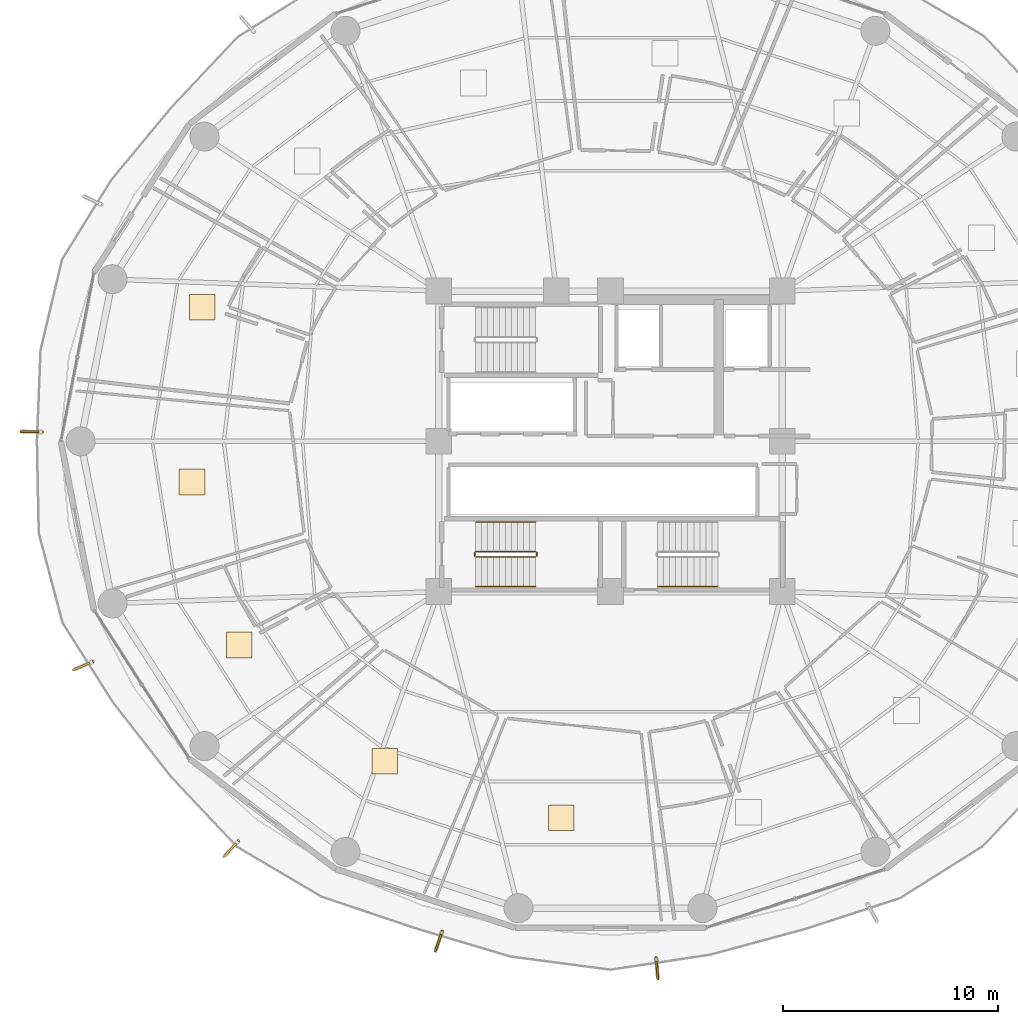
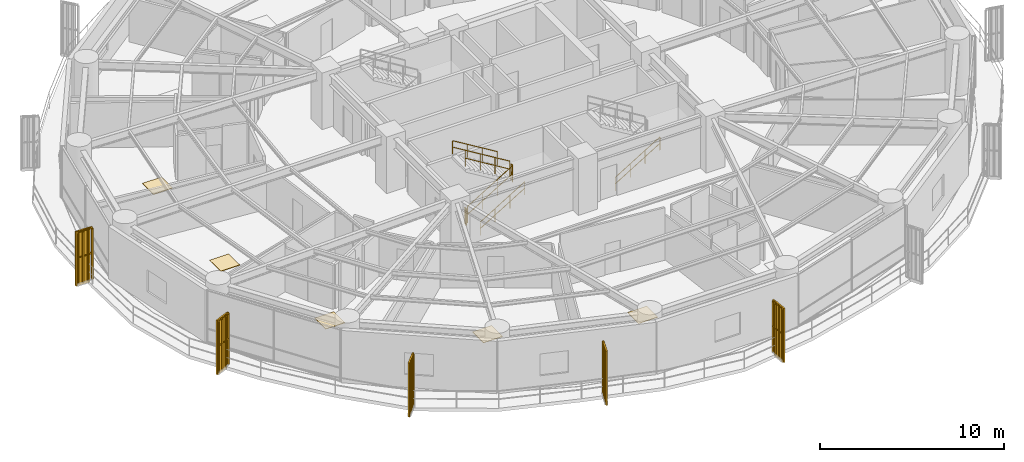
# One storey, part 34 of 37: 12 railings, 5 coverings, 5 shading devices.
"""IFC4 building model written with IfcOpenShell, lengths in metres."""

import ifcopenshell
import ifcopenshell.guid

model = None  # the IFC model being written
_history = None  # IfcOwnerHistory: only IFC2X3 demands one
_inside = {}  # id of a spatial element -> (the spatial element, [elements in it])
_under = {}  # id of a project, library or spatial element -> (it, [spatial elements below it])
_declared = {}  # id of a project -> (the project, [libraries it declares])
_typed = {}  # id of a type object -> (the type object, [elements of that type])
_made_of = {}  # id of a material, layer set ... -> (it, [elements and type objects made of it])


def new_model(schema):
    """Start an empty IFC model of exactly this schema.

    Asked for "IFC4X3", IfcOpenShell would pick the latest addendum, in which some entities
    have other attributes; the version numbers below select the first issue.
    IFC2X3 requires an IfcOwnerHistory on every rooted entity: one is made here for all.
    """
    global model, _history
    if schema == "IFC4X3":
        model = ifcopenshell.file(schema_version=(4, 3, 0, 0))
    else:
        model = ifcopenshell.file(schema=schema)
    _inside.clear()
    _under.clear()
    _declared.clear()
    _typed.clear()
    _made_of.clear()
    _history = None
    if model.schema == "IFC2X3":
        org = make("IfcOrganization", Name="unknown")
        user = make(
            "IfcPersonAndOrganization",
            ThePerson=make("IfcPerson", FamilyName="unknown"),
            TheOrganization=org,
        )
        app = make(
            "IfcApplication",
            ApplicationDeveloper=org,
            Version="unknown",
            ApplicationFullName="unknown",
            ApplicationIdentifier="unknown",
        )
        _history = make(
            "IfcOwnerHistory",
            OwningUser=user,
            OwningApplication=app,
            ChangeAction="ADDED",
            CreationDate=0,
        )
    return model


def make(cls, **values):
    """One entity of the class cls with the attributes given. An attribute that is None is left unset."""
    return model.create_entity(
        cls, **{name: value for name, value in values.items() if value is not None}
    )


def rooted(cls, **values):
    """An entity with a GlobalId (a new one), such as an element, a storey or a relation."""
    return make(cls, GlobalId=ifcopenshell.guid.new(), OwnerHistory=_history, **values)


def si_unit(unit_type, name, prefix=None):
    """IfcSIUnit, for example si_unit("LENGTHUNIT", "METRE", prefix="MILLI")."""
    return make("IfcSIUnit", UnitType=unit_type, Prefix=prefix, Name=name)


def assignment(units):
    """IfcUnitAssignment: the units of a project."""
    return None if units is None else make("IfcUnitAssignment", Units=units)


def point(xyz):
    """IfcCartesianPoint."""
    return None if xyz is None else make("IfcCartesianPoint", Coordinates=xyz)


def direction(xyz):
    """IfcDirection."""
    return None if xyz is None else make("IfcDirection", DirectionRatios=xyz)


def frame(location, z_axis=None, x_axis=None):
    """IfcAxis2Placement3D, a coordinate frame: its origin and axes. An axis left out is left unset."""
    return make(
        "IfcAxis2Placement3D",
        Location=point(location),
        Axis=direction(z_axis),
        RefDirection=direction(x_axis),
    )


def frame_2d(location, x_axis=None):
    """IfcAxis2Placement2D, a coordinate frame in the plane: its origin and x axis."""
    return make(
        "IfcAxis2Placement2D", Location=point(location), RefDirection=direction(x_axis)
    )


def origin():
    """The frame at (0, 0, 0) with its axes left unset."""
    return frame((0.0, 0.0, 0.0))


def origin_2d():
    """The frame at (0, 0) in the plane with its x axis left unset."""
    return frame_2d((0.0, 0.0))


def place(relative_to, where):
    """IfcLocalPlacement: puts the frame where relative to a parent placement (None: the world)."""
    return make(
        "IfcLocalPlacement", PlacementRelTo=relative_to, RelativePlacement=where
    )


def context(
    kind, dimensions, precision=None, world=None, true_north=None, identifier=None
):
    """IfcGeometricRepresentationContext, for example the 3D "Model" context."""
    return make(
        "IfcGeometricRepresentationContext",
        ContextIdentifier=identifier,
        ContextType=kind,
        CoordinateSpaceDimension=dimensions,
        Precision=precision,
        WorldCoordinateSystem=world,
        TrueNorth=true_north,
    )


def subcontext(parent, identifier, kind, view, scale=None):
    """IfcGeometricRepresentationSubContext, for example "Body" below "Model"."""
    return make(
        "IfcGeometricRepresentationSubContext",
        ContextIdentifier=identifier,
        ContextType=kind,
        ParentContext=parent,
        TargetScale=scale,
        TargetView=view,
    )


def project(units=None, contexts=None):
    """IfcProject with its units and contexts."""
    return rooted(
        "IfcProject",
        Name="project",
        RepresentationContexts=contexts,
        UnitsInContext=assignment(units),
    )


def spatial(cls, under=None, at=None, **own):
    """A site, building, storey or space (cls), placed at a placement, below another one or the project."""
    s = rooted(cls, ObjectPlacement=at, **own)
    if under is not None:
        _under.setdefault(under.id(), (under, []))[1].append(s)
    return s


def polyline(points):
    """IfcPolyline through the points."""
    return make("IfcPolyline", Points=[point(p) for p in points])


def profile(cls, at=None, kind="AREA", **sizes):
    """A parametric profile (cls). Its sizes go by their IFC names, for example OverallWidth=200.0."""
    return make(cls, ProfileType=kind, Position=at, **sizes)


def rectangle(**sizes):
    """IfcRectangleProfileDef."""
    return profile("IfcRectangleProfileDef", **sizes)


def outline(outer, holes=None, kind="AREA"):
    """IfcArbitraryClosedProfileDef: a profile drawn as a closed curve; with holes, ...WithVoids."""
    if holes is None:
        return make("IfcArbitraryClosedProfileDef", ProfileType=kind, OuterCurve=outer)
    return make(
        "IfcArbitraryProfileDefWithVoids",
        ProfileType=kind,
        OuterCurve=outer,
        InnerCurves=holes,
    )


def extrude(swept, where, along, depth):
    """IfcExtrudedAreaSolid: the profile swept, set in the frame where, extruded along a direction by depth."""
    return make(
        "IfcExtrudedAreaSolid",
        SweptArea=swept,
        Position=where,
        ExtrudedDirection=direction(along),
        Depth=depth,
    )


def shape(context_of_items, identifier, shape_type, items):
    """IfcShapeRepresentation: the items that make up one representation, for example the "Body"."""
    return make(
        "IfcShapeRepresentation",
        ContextOfItems=context_of_items,
        RepresentationIdentifier=identifier,
        RepresentationType=shape_type,
        Items=items,
    )


def source(mapping_origin, context_of_items, identifier, shape_type, items):
    """IfcRepresentationMap: a shape defined once, which mapped items show again and again."""
    return make(
        "IfcRepresentationMap",
        MappingOrigin=mapping_origin,
        MappedRepresentation=shape(context_of_items, identifier, shape_type, items),
    )


def transform(
    local_origin,
    x_axis=None,
    y_axis=None,
    z_axis=None,
    scale=None,
    scale2=None,
    scale3=None,
    uniform=True,
):
    """IfcCartesianTransformationOperator3D, or its non-uniform kind. x_axis, y_axis, z_axis: its Axis1, 2, 3."""
    if uniform:
        return make(
            "IfcCartesianTransformationOperator3D",
            Axis1=direction(x_axis),
            Axis2=direction(y_axis),
            LocalOrigin=point(local_origin),
            Scale=scale,
            Axis3=direction(z_axis),
        )
    return make(
        "IfcCartesianTransformationOperator3DnonUniform",
        Axis1=direction(x_axis),
        Axis2=direction(y_axis),
        LocalOrigin=point(local_origin),
        Scale=scale,
        Axis3=direction(z_axis),
        Scale2=scale2,
        Scale3=scale3,
    )


def mapped(mapping_source, mapping_target):
    """IfcMappedItem: shows the shape of a source again, moved by a transform."""
    return make(
        "IfcMappedItem", MappingSource=mapping_source, MappingTarget=mapping_target
    )


def material(Name=None, Category=None):
    """IfcMaterial."""
    return make("IfcMaterial", Name=Name, Category=Category)


def layer(
    of_material, thickness, ventilated=None, Name=None, Category=None, Priority=None
):
    """IfcMaterialLayer: one layer of a wall or slab, of a material (None: an air gap)."""
    return make(
        "IfcMaterialLayer",
        Material=of_material,
        LayerThickness=thickness,
        IsVentilated=ventilated,
        Name=Name,
        Category=Category,
        Priority=Priority,
    )


def layer_set(layers, Name=None):
    """IfcMaterialLayerSet."""
    return make("IfcMaterialLayerSet", MaterialLayers=layers, LayerSetName=Name)


def made_of(thing, what):
    """Note that an element or type object is made of a material, layer set ...; save() writes the relation."""
    if what is not None:
        _made_of.setdefault(what.id(), (what, []))[1].append(thing)
    return thing


def type_object(cls, material=None, **own):
    """A type object (cls), such as IfcWallType, which elements share."""
    return made_of(rooted(cls, **own), material)


def element(
    cls,
    number,
    at=None,
    inside=None,
    cuts=None,
    type_object=None,
    material=None,
    context=None,
    identifier="Body",
    shape_type=None,
    held_by="IfcProductDefinitionShape",
    body=None,
    shapes=None,
    **own,
):
    """One element of the class cls, such as IfcWall. Its Tag is "e" and its number.

    at: its placement. inside: the storey or other place that contains it. cuts: it is an
    opening in that element (IfcRelVoidsElement). A single representation is given by context,
    identifier, shape_type and body (its items); several are given by shapes. held_by: the class
    of the entity that holds the representations. save() writes the other relations.
    """
    e = rooted(cls, Tag="e%d" % number, ObjectPlacement=at, **own)
    if body is not None:
        shapes = [shape(context, identifier, shape_type, body)]
    if shapes is not None:
        e.Representation = make(held_by, Representations=shapes)
    if inside is not None:
        _inside.setdefault(inside.id(), (inside, []))[1].append(e)
    if cuts is not None:
        rooted(
            "IfcRelVoidsElement", RelatingBuildingElement=cuts, RelatedOpeningElement=e
        )
    if type_object is not None:
        _typed.setdefault(type_object.id(), (type_object, []))[1].append(e)
    return made_of(e, material)


def aggregate(whole, parts):
    """IfcRelAggregates: a whole, such as a stair, and the parts it consists of."""
    return rooted("IfcRelAggregates", RelatingObject=whole, RelatedObjects=parts)


def save(model, path):
    """Write the relations noted so far, then the file.

    IfcRelAggregates (storeys below a building ...), IfcRelContainedInSpatialStructure (elements
    in a storey), IfcRelDefinesByType, IfcRelAssociatesMaterial and IfcRelDeclares: one each for
    every whole, place, type object, material and project.
    """
    for whole, parts in _under.values():
        aggregate(whole, parts)
    for where, things in _inside.values():
        rooted(
            "IfcRelContainedInSpatialStructure",
            RelatedElements=things,
            RelatingStructure=where,
        )
    for kind, things in _typed.values():
        rooted("IfcRelDefinesByType", RelatedObjects=things, RelatingType=kind)
    for what, things in _made_of.values():
        rooted("IfcRelAssociatesMaterial", RelatedObjects=things, RelatingMaterial=what)
    for by, libraries in _declared.values():
        rooted("IfcRelDeclares", RelatingContext=by, RelatedDefinitions=libraries)
    model.write(path)


model = new_model("IFC4")

# Units and contexts
model_context = context("Model", 3, precision=1e-05, world=origin(), true_north=direction((0.0, 1.0)))
body_context = subcontext(model_context, "Body", "Model", "MODEL_VIEW")
ifc_project = project(units=[si_unit("LENGTHUNIT", "METRE"), si_unit("AREAUNIT", "SQUARE_METRE"), si_unit("VOLUMEUNIT", "CUBIC_METRE"), si_unit("PLANEANGLEUNIT", "RADIAN"), si_unit("MASSUNIT", "GRAM", prefix="KILO")], contexts=[model_context])

# Site, building, storey
site_placement = place(None, origin())
site = spatial("IfcSite", under=ifc_project, at=site_placement, CompositionType="ELEMENT")
building_placement = place(site_placement, origin())
building = spatial("IfcBuilding", under=site, at=building_placement, Name="Kelanora Arch Commons", CompositionType="ELEMENT")
storey_placement = place(building_placement, frame((0.0, 0.0, 113.85009765625)))
storey = spatial("IfcBuildingStorey", under=building, at=storey_placement, Name="L29", CompositionType="ELEMENT", Elevation=113.85009765625)

# Railings
ifc_material_1 = material(Name="Anodised bronze vertical shading fin rib assembly")
railing_type_1 = type_object("IfcRailingType", Name="RAIL-FIN-BRZ", PredefinedType="BALUSTRADE", material=ifc_material_1)
railing_1_placement = place(storey_placement, frame((47.5244140625, 58.43798828125, -0.02001953125)))
element("IfcRailing", 1, at=railing_1_placement, inside=storey, type_object=railing_type_1, Name="Sweeping Bronze Vertical Fin Blade L29-06", PredefinedType="BALUSTRADE", context=body_context, shape_type="SweptSolid", body=[
    extrude(outline(polyline([(0.06982421875, 0.0), (0.034912109375, 0.060546875), (-0.034912109375, 0.060546875), (-0.06982421875, 0.0), (-0.034912109375, -0.060546875), (0.034912109375, -0.060546875), (0.06982421875, 0.0)])), frame((0.0, 0.0, 3.419921875), z_axis=(-0.999860454738, 0.016705419813, 0.0), x_axis=(-0.016705419813, -0.999860454738, 0.0)), (0.0, 0.0, 1.0), 0.8916015625),
    extrude(outline(polyline([(0.06982421875, 0.0), (0.034912109375, 0.060546875), (-0.034912109375, 0.060546875), (-0.06982421875, 0.0), (-0.034912109375, -0.060546875), (0.034912109375, -0.060546875), (0.06982421875, 0.0)])), frame((0.0, 0.0, 1.7451171875), z_axis=(-0.999860454738, 0.016705419813, 0.0), x_axis=(-0.016705419813, -0.999860454738, 0.0)), (0.0, 0.0, 1.0), 0.8916015625),
    extrude(outline(polyline([(0.080078125, 0.0), (0.0400390625, 0.0693359375), (-0.0400390625, 0.0693359375), (-0.080078125, 0.0), (-0.0400390625, -0.0693359375), (0.0400390625, -0.0693359375), (0.080078125, 0.0)])), origin(), (0.0, 0.0, 1.0), 3.35009765625),
    extrude(outline(polyline([(0.080078125, 0.0), (0.0400390625, 0.0693359375), (-0.0400390625, 0.0693359375), (-0.080078125, 0.0), (-0.0400390625, -0.0693359375), (0.0400390625, -0.0693359375), (0.080078125, 0.0)])), frame((-0.297119140625, 0.0048828125, 0.0)), (0.0, 0.0, 1.0), 3.35009765625),
    extrude(outline(polyline([(0.080078125, 0.0), (0.0400390625, 0.0693359375), (-0.0400390625, 0.0693359375), (-0.080078125, 0.0), (-0.0400390625, -0.0693359375), (0.0400390625, -0.0693359375), (0.080078125, 0.0)])), frame((-0.59423828125, 0.010009765625, 0.0)), (0.0, 0.0, 1.0), 3.35009765625),
    extrude(outline(polyline([(0.080078125, 0.0), (0.0400390625, 0.0693359375), (-0.0400390625, 0.0693359375), (-0.080078125, 0.0), (-0.0400390625, -0.0693359375), (0.0400390625, -0.0693359375), (0.080078125, 0.0)])), frame((-0.891357421875, 0.014892578125, 0.0)), (0.0, 0.0, 1.0), 3.35009765625),
])
railing_2_placement = place(storey_placement, frame((49.883544921875, 47.7373046875, -0.02001953125)))
element("IfcRailing", 2, at=railing_2_placement, inside=storey, type_object=railing_type_1, Name="Sweeping Bronze Vertical Fin Blade L29-07", PredefinedType="BALUSTRADE", context=body_context, shape_type="SweptSolid", body=[
    extrude(outline(polyline([(0.06982421875, 0.0), (0.034912109375, 0.060546875), (-0.034912109375, 0.060546875), (-0.06982421875, 0.0), (-0.034912109375, -0.060546875), (0.034912109375, -0.060546875), (0.06982421875, 0.0)])), frame((0.0, 0.0, 3.419921875), z_axis=(-0.920133641642, -0.391604496294, 0.0), x_axis=(0.391604496294, -0.920133641642, 0.0)), (0.0, 0.0, 1.0), 0.8916015625),
    extrude(outline(polyline([(0.06982421875, 0.0), (0.034912109375, 0.060546875), (-0.034912109375, 0.060546875), (-0.06982421875, 0.0), (-0.034912109375, -0.060546875), (0.034912109375, -0.060546875), (0.06982421875, 0.0)])), frame((0.0, 0.0, 1.7451171875), z_axis=(-0.920133641642, -0.391604496294, 0.0), x_axis=(0.391604496294, -0.920133641642, 0.0)), (0.0, 0.0, 1.0), 0.8916015625),
    extrude(outline(polyline([(0.080078125, 0.0), (0.0400390625, 0.0693359375), (-0.0400390625, 0.0693359375), (-0.080078125, 0.0), (-0.0400390625, -0.0693359375), (0.0400390625, -0.0693359375), (0.080078125, 0.0)])), origin(), (0.0, 0.0, 1.0), 3.35009765625),
    extrude(outline(polyline([(0.080078125, 0.0), (0.0400390625, 0.0693359375), (-0.0400390625, 0.0693359375), (-0.080078125, 0.0), (-0.0400390625, -0.0693359375), (0.0400390625, -0.0693359375), (0.080078125, 0.0)])), frame((-0.2734375, -0.116455078125, 0.0)), (0.0, 0.0, 1.0), 3.35009765625),
    extrude(outline(polyline([(0.080078125, 0.0), (0.0400390625, 0.0693359375), (-0.0400390625, 0.0693359375), (-0.080078125, 0.0), (-0.0400390625, -0.0693359375), (0.0400390625, -0.0693359375), (0.080078125, 0.0)])), frame((-0.546875, -0.232666015625, 0.0)), (0.0, 0.0, 1.0), 3.35009765625),
    extrude(outline(polyline([(0.080078125, 0.0), (0.0400390625, 0.0693359375), (-0.0400390625, 0.0693359375), (-0.080078125, 0.0), (-0.0400390625, -0.0693359375), (0.0400390625, -0.0693359375), (0.080078125, 0.0)])), frame((-0.8203125, -0.34912109375, 0.0)), (0.0, 0.0, 1.0), 3.35009765625),
])
railing_3_placement = place(storey_placement, frame((56.662353515625, 39.373779296875, -0.02001953125)))
element("IfcRailing", 3, at=railing_3_placement, inside=storey, type_object=railing_type_1, Name="Sweeping Bronze Vertical Fin Blade L29-08", PredefinedType="BALUSTRADE", context=body_context, shape_type="SweptSolid", body=[
    extrude(outline(polyline([(0.06982421875, 0.0), (0.034912109375, 0.060546875), (-0.034912109375, 0.060546875), (-0.06982421875, 0.0), (-0.034912109375, -0.060546875), (0.034912109375, -0.060546875), (0.06982421875, 0.0)])), frame((0.0, 0.0, 3.419921875), z_axis=(-0.681322415215, -0.731983446893, 0.0), x_axis=(0.731983446893, -0.681322415215, 0.0)), (0.0, 0.0, 1.0), 0.8916015625),
    extrude(outline(polyline([(0.06982421875, 0.0), (0.034912109375, 0.060546875), (-0.034912109375, 0.060546875), (-0.06982421875, 0.0), (-0.034912109375, -0.060546875), (0.034912109375, -0.060546875), (0.06982421875, 0.0)])), frame((0.0, 0.0, 1.7451171875), z_axis=(-0.681322415215, -0.731983446893, 0.0), x_axis=(0.731983446893, -0.681322415215, 0.0)), (0.0, 0.0, 1.0), 0.8916015625),
    extrude(outline(polyline([(0.080078125, 0.0), (0.0400390625, 0.0693359375), (-0.0400390625, 0.0693359375), (-0.080078125, 0.0), (-0.0400390625, -0.0693359375), (0.0400390625, -0.0693359375), (0.080078125, 0.0)])), origin(), (0.0, 0.0, 1.0), 3.35009765625),
    extrude(outline(polyline([(0.080078125, 0.0), (0.0400390625, 0.0693359375), (-0.0400390625, 0.0693359375), (-0.080078125, 0.0), (-0.0400390625, -0.0693359375), (0.0400390625, -0.0693359375), (0.080078125, 0.0)])), frame((-0.202392578125, -0.217529296875, 0.0)), (0.0, 0.0, 1.0), 3.35009765625),
    extrude(outline(polyline([(0.080078125, 0.0), (0.0400390625, 0.0693359375), (-0.0400390625, 0.0693359375), (-0.080078125, 0.0), (-0.0400390625, -0.0693359375), (0.0400390625, -0.0693359375), (0.080078125, 0.0)])), frame((-0.405029296875, -0.43505859375, 0.0)), (0.0, 0.0, 1.0), 3.35009765625),
    extrude(outline(polyline([(0.080078125, 0.0), (0.0400390625, 0.0693359375), (-0.0400390625, 0.0693359375), (-0.080078125, 0.0), (-0.0400390625, -0.0693359375), (0.0400390625, -0.0693359375), (0.080078125, 0.0)])), frame((-0.607421875, -0.652587890625, 0.0)), (0.0, 0.0, 1.0), 3.35009765625),
])
railing_4_placement = place(storey_placement, frame((66.166015625, 35.181396484375, -0.02001953125)))
element("IfcRailing", 4, at=railing_4_placement, inside=storey, type_object=railing_type_1, Name="Sweeping Bronze Vertical Fin Blade L29-09", PredefinedType="BALUSTRADE", context=body_context, shape_type="SweptSolid", body=[
    extrude(outline(polyline([(0.06982421875, 0.0), (0.034912109375, 0.060546875), (-0.034912109375, 0.060546875), (-0.06982421875, 0.0), (-0.034912109375, -0.060546875), (0.034912109375, -0.060546875), (0.06982421875, 0.0)])), frame((0.0, 0.0, 3.419921875), z_axis=(-0.324513353005, -0.945881115004, 0.0), x_axis=(0.945881115004, -0.324513353005, 0.0)), (0.0, 0.0, 1.0), 0.8916015625),
    extrude(outline(polyline([(0.06982421875, 0.0), (0.034912109375, 0.060546875), (-0.034912109375, 0.060546875), (-0.06982421875, 0.0), (-0.034912109375, -0.060546875), (0.034912109375, -0.060546875), (0.06982421875, 0.0)])), frame((0.0, 0.0, 1.7451171875), z_axis=(-0.324513353005, -0.945881115004, 0.0), x_axis=(0.945881115004, -0.324513353005, 0.0)), (0.0, 0.0, 1.0), 0.8916015625),
    extrude(outline(polyline([(0.080078125, 0.0), (0.0400390625, 0.0693359375), (-0.0400390625, 0.0693359375), (-0.080078125, 0.0), (-0.0400390625, -0.0693359375), (0.0400390625, -0.0693359375), (0.080078125, 0.0)])), origin(), (0.0, 0.0, 1.0), 3.35009765625),
    extrude(outline(polyline([(0.080078125, 0.0), (0.0400390625, 0.0693359375), (-0.0400390625, 0.0693359375), (-0.080078125, 0.0), (-0.0400390625, -0.0693359375), (0.0400390625, -0.0693359375), (0.080078125, 0.0)])), frame((-0.096435546875, -0.281005859375, 0.0)), (0.0, 0.0, 1.0), 3.35009765625),
    extrude(outline(polyline([(0.080078125, 0.0), (0.0400390625, 0.0693359375), (-0.0400390625, 0.0693359375), (-0.080078125, 0.0), (-0.0400390625, -0.0693359375), (0.0400390625, -0.0693359375), (0.080078125, 0.0)])), frame((-0.19287109375, -0.562255859375, 0.0)), (0.0, 0.0, 1.0), 3.35009765625),
    extrude(outline(polyline([(0.080078125, 0.0), (0.0400390625, 0.0693359375), (-0.0400390625, 0.0693359375), (-0.080078125, 0.0), (-0.0400390625, -0.0693359375), (0.0400390625, -0.0693359375), (0.080078125, 0.0)])), frame((-0.289306640625, -0.84326171875, 0.0)), (0.0, 0.0, 1.0), 3.35009765625),
])
railing_5_placement = place(storey_placement, frame((76.127197265625, 33.93603515625, -0.02001953125)))
element("IfcRailing", 5, at=railing_5_placement, inside=storey, type_object=railing_type_1, Name="Sweeping Bronze Vertical Fin Blade L29-10", PredefinedType="BALUSTRADE", context=body_context, shape_type="SweptSolid", body=[
    extrude(outline(polyline([(0.06982421875, 0.0), (0.034912109375, 0.060546875), (-0.034912109375, 0.060546875), (-0.06982421875, 0.0), (-0.034912109375, -0.060546875), (0.034912109375, -0.060546875), (0.06982421875, 0.0)])), frame((0.0, 0.0, 3.419921875), z_axis=(0.088189550443, -0.996103711063, 0.0), x_axis=(0.996103711063, 0.088189550443, 0.0)), (0.0, 0.0, 1.0), 0.891357421875),
    extrude(outline(polyline([(0.06982421875, 0.0), (0.034912109375, 0.060546875), (-0.034912109375, 0.060546875), (-0.06982421875, 0.0), (-0.034912109375, -0.060546875), (0.034912109375, -0.060546875), (0.06982421875, 0.0)])), frame((0.0, 0.0, 1.7451171875), z_axis=(0.088189550443, -0.996103711063, 0.0), x_axis=(0.996103711063, 0.088189550443, 0.0)), (0.0, 0.0, 1.0), 0.891357421875),
    extrude(outline(polyline([(0.080078125, 0.0), (0.0400390625, 0.0693359375), (-0.0400390625, 0.0693359375), (-0.080078125, 0.0), (-0.0400390625, -0.0693359375), (0.0400390625, -0.0693359375), (0.080078125, 0.0)])), origin(), (0.0, 0.0, 1.0), 3.35009765625),
    extrude(outline(polyline([(0.080078125, 0.0), (0.0400390625, 0.0693359375), (-0.0400390625, 0.0693359375), (-0.080078125, 0.0), (-0.0400390625, -0.0693359375), (0.0400390625, -0.0693359375), (0.080078125, 0.0)])), frame((0.026123046875, -0.2958984375, 0.0)), (0.0, 0.0, 1.0), 3.35009765625),
    extrude(outline(polyline([(0.080078125, 0.0), (0.0400390625, 0.0693359375), (-0.0400390625, 0.0693359375), (-0.080078125, 0.0), (-0.0400390625, -0.0693359375), (0.0400390625, -0.0693359375), (0.080078125, 0.0)])), frame((0.052490234375, -0.592041015625, 0.0)), (0.0, 0.0, 1.0), 3.35009765625),
    extrude(outline(polyline([(0.080078125, 0.0), (0.0400390625, 0.0693359375), (-0.0400390625, 0.0693359375), (-0.080078125, 0.0), (-0.0400390625, -0.0693359375), (0.0400390625, -0.0693359375), (0.080078125, 0.0)])), frame((0.07861328125, -0.887939453125, 0.0)), (0.0, 0.0, 1.0), 3.35009765625),
])
ifc_material_2 = material(Name="Painted steel stair well guard", Category="steel")
railing_type_2 = type_object("IfcRailingType", Name="RAIL-STAIR-GRD", PredefinedType="GUARDRAIL", material=ifc_material_2)
railing_6_placement = place(storey_placement, frame((67.719970703125, 52.610107421875, 0.17041015625)))
element("IfcRailing", 6, at=railing_6_placement, inside=storey, type_object=railing_type_2, Name="L29 ST-T3 stair guard 1", PredefinedType="GUARDRAIL", context=body_context, shape_type="SweptSolid", body=[
    extrude(outline(polyline([(0.02392578125, 0.0), (0.011962890625, 0.020751953125), (-0.011962890625, 0.020751953125), (-0.02392578125, 0.0), (-0.011962890625, -0.020751953125), (0.011962890625, -0.020751953125), (0.02392578125, 0.0)])), frame((0.0, 0.0, 1.076171875), z_axis=(0.854169791009, 0.0, 0.51999420009), x_axis=(0.0, 1.0, 0.0)), (0.0, 0.0, 1.0), 3.278076171875),
    extrude(outline(polyline([(0.02392578125, 0.0), (0.011962890625, 0.020751953125), (-0.011962890625, 0.020751953125), (-0.02392578125, 0.0), (-0.011962890625, -0.020751953125), (0.011962890625, -0.020751953125), (0.02392578125, 0.0)])), frame((0.0, 0.0, 0.550048828125), z_axis=(0.854169791009, 0.0, 0.51999420009), x_axis=(0.0, 1.0, 0.0)), (0.0, 0.0, 1.0), 3.278076171875),
    extrude(outline(polyline([(0.02099609375, 0.0), (0.010498046875, 0.01806640625), (-0.010498046875, 0.01806640625), (-0.02099609375, 0.0), (-0.010498046875, -0.01806640625), (0.010498046875, -0.01806640625), (0.02099609375, 0.0)])), origin(), (0.0, 0.0, 1.0), 1.052001953125),
    extrude(outline(polyline([(0.02099609375, 0.0), (0.010498046875, 0.01806640625), (-0.010498046875, 0.01806640625), (-0.02099609375, 0.0), (-0.010498046875, -0.01806640625), (0.010498046875, -0.01806640625), (0.02099609375, 0.0)])), frame((0.933349609375, 0.0, 0.568115234375)), (0.0, 0.0, 1.0), 1.052001953125),
    extrude(outline(polyline([(0.02099609375, 0.0), (0.010498046875, 0.01806640625), (-0.010498046875, 0.01806640625), (-0.02099609375, 0.0), (-0.010498046875, -0.01806640625), (0.010498046875, -0.01806640625), (0.02099609375, 0.0)])), frame((1.86669921875, 0.0, 1.136474609375)), (0.0, 0.0, 1.0), 1.052001953125),
    extrude(outline(polyline([(0.02099609375, 0.0), (0.010498046875, 0.01806640625), (-0.010498046875, 0.01806640625), (-0.02099609375, 0.0), (-0.010498046875, -0.01806640625), (0.010498046875, -0.01806640625), (0.02099609375, 0.0)])), frame((2.800048828125, 0.0, 1.70458984375)), (0.0, 0.0, 1.0), 1.052001953125),
])
railing_7_placement = place(storey_placement, frame((70.570068359375, 52.659912109375, 1.875)))
element("IfcRailing", 7, at=railing_7_placement, inside=storey, type_object=railing_type_2, Name="L29 ST-T3 stair guard 2", PredefinedType="GUARDRAIL", context=body_context, shape_type="SweptSolid", body=[
    extrude(outline(polyline([(0.02392578125, 0.0), (0.011962890625, 0.020751953125), (-0.011962890625, 0.020751953125), (-0.02392578125, 0.0), (-0.011962890625, -0.020751953125), (0.011962890625, -0.020751953125), (0.02392578125, 0.0)])), frame((0.0, 0.0, 1.076171875), z_axis=(0.0, 1.0, 0.0), x_axis=(-1.0, 0.0, 0.0)), (0.0, 0.0, 1.0), 0.150146484375),
    extrude(outline(polyline([(0.02392578125, 0.0), (0.011962890625, 0.020751953125), (-0.011962890625, 0.020751953125), (-0.02392578125, 0.0), (-0.011962890625, -0.020751953125), (0.011962890625, -0.020751953125), (0.02392578125, 0.0)])), frame((0.0, 0.0, 0.550048828125), z_axis=(0.0, 1.0, 0.0), x_axis=(-1.0, 0.0, 0.0)), (0.0, 0.0, 1.0), 0.150146484375),
    extrude(outline(polyline([(0.02099609375, 0.0), (0.010498046875, 0.01806640625), (-0.010498046875, 0.01806640625), (-0.02099609375, 0.0), (-0.010498046875, -0.01806640625), (0.010498046875, -0.01806640625), (0.02099609375, 0.0)])), origin(), (0.0, 0.0, 1.0), 1.052001953125),
    extrude(outline(polyline([(0.02099609375, 0.0), (0.010498046875, 0.01806640625), (-0.010498046875, 0.01806640625), (-0.02099609375, 0.0), (-0.010498046875, -0.01806640625), (0.010498046875, -0.01806640625), (0.02099609375, 0.0)])), frame((0.0, 0.150146484375, 0.0)), (0.0, 0.0, 1.0), 1.052001953125),
])
railing_8_placement = place(storey_placement, frame((70.52001953125, 52.860107421875, 2.04541015625)))
element("IfcRailing", 8, at=railing_8_placement, inside=storey, type_object=railing_type_2, Name="L29 ST-T3 stair guard 3", PredefinedType="GUARDRAIL", context=body_context, shape_type="SweptSolid", body=[
    extrude(outline(polyline([(0.02392578125, 0.0), (0.011962890625, 0.020751953125), (-0.011962890625, 0.020751953125), (-0.02392578125, 0.0), (-0.011962890625, -0.020751953125), (0.011962890625, -0.020751953125), (0.02392578125, 0.0)])), frame((0.0, 0.0, 1.076171875), z_axis=(-0.854169791009, 0.0, 0.51999420009), x_axis=(0.0, -1.0, 0.0)), (0.0, 0.0, 1.0), 3.278076171875),
    extrude(outline(polyline([(0.02392578125, 0.0), (0.011962890625, 0.020751953125), (-0.011962890625, 0.020751953125), (-0.02392578125, 0.0), (-0.011962890625, -0.020751953125), (0.011962890625, -0.020751953125), (0.02392578125, 0.0)])), frame((0.0, 0.0, 0.550048828125), z_axis=(-0.854169791009, 0.0, 0.51999420009), x_axis=(0.0, -1.0, 0.0)), (0.0, 0.0, 1.0), 3.278076171875),
    extrude(outline(polyline([(0.02099609375, 0.0), (0.010498046875, 0.01806640625), (-0.010498046875, 0.01806640625), (-0.02099609375, 0.0), (-0.010498046875, -0.01806640625), (0.010498046875, -0.01806640625), (0.02099609375, 0.0)])), origin(), (0.0, 0.0, 1.0), 1.052001953125),
    extrude(outline(polyline([(0.02099609375, 0.0), (0.010498046875, 0.01806640625), (-0.010498046875, 0.01806640625), (-0.02099609375, 0.0), (-0.010498046875, -0.01806640625), (0.010498046875, -0.01806640625), (0.02099609375, 0.0)])), frame((-0.933349609375, 0.0, 0.568115234375)), (0.0, 0.0, 1.0), 1.052001953125),
    extrude(outline(polyline([(0.02099609375, 0.0), (0.010498046875, 0.01806640625), (-0.010498046875, 0.01806640625), (-0.02099609375, 0.0), (-0.010498046875, -0.01806640625), (0.010498046875, -0.01806640625), (0.02099609375, 0.0)])), frame((-1.86669921875, 0.0, 1.136474609375)), (0.0, 0.0, 1.0), 1.052001953125),
    extrude(outline(polyline([(0.02099609375, 0.0), (0.010498046875, 0.01806640625), (-0.010498046875, 0.01806640625), (-0.02099609375, 0.0), (-0.010498046875, -0.01806640625), (0.010498046875, -0.01806640625), (0.02099609375, 0.0)])), frame((-2.800048828125, 0.0, 1.70458984375)), (0.0, 0.0, 1.0), 1.052001953125),
])
railing_9_placement = place(storey_placement, frame((67.669921875, 52.659912109375, 0.0)))
element("IfcRailing", 9, at=railing_9_placement, inside=storey, type_object=railing_type_2, Name="L29 ST-T3 stair guard 4", PredefinedType="GUARDRAIL", context=body_context, shape_type="SweptSolid", body=[
    extrude(outline(polyline([(0.02392578125, 0.0), (0.011962890625, 0.020751953125), (-0.011962890625, 0.020751953125), (-0.02392578125, 0.0), (-0.011962890625, -0.020751953125), (0.011962890625, -0.020751953125), (0.02392578125, 0.0)])), frame((0.0, 0.0, 1.076171875), z_axis=(0.0, 1.0, 0.0), x_axis=(-1.0, 0.0, 0.0)), (0.0, 0.0, 1.0), 0.150146484375),
    extrude(outline(polyline([(0.02392578125, 0.0), (0.011962890625, 0.020751953125), (-0.011962890625, 0.020751953125), (-0.02392578125, 0.0), (-0.011962890625, -0.020751953125), (0.011962890625, -0.020751953125), (0.02392578125, 0.0)])), frame((0.0, 0.0, 0.550048828125), z_axis=(0.0, 1.0, 0.0), x_axis=(-1.0, 0.0, 0.0)), (0.0, 0.0, 1.0), 0.150146484375),
    extrude(outline(polyline([(0.02099609375, 0.0), (0.010498046875, 0.01806640625), (-0.010498046875, 0.01806640625), (-0.02099609375, 0.0), (-0.010498046875, -0.01806640625), (0.010498046875, -0.01806640625), (0.02099609375, 0.0)])), origin(), (0.0, 0.0, 1.0), 1.052001953125),
    extrude(outline(polyline([(0.02099609375, 0.0), (0.010498046875, 0.01806640625), (-0.010498046875, 0.01806640625), (-0.02099609375, 0.0), (-0.010498046875, -0.01806640625), (0.010498046875, -0.01806640625), (0.02099609375, 0.0)])), frame((0.0, 0.150146484375, 0.0)), (0.0, 0.0, 1.0), 1.052001953125),
])
ifc_material_3 = material(Name="Brushed stainless steel stair handrail", Category="steel")
railing_type_3 = type_object("IfcRailingType", Name="RAIL-STAIR-HND", PredefinedType="HANDRAIL", material=ifc_material_3)
railing_10_placement = place(storey_placement, frame((76.199951171875, 51.22998046875, 0.17041015625)))
element("IfcRailing", 10, at=railing_10_placement, inside=storey, type_object=railing_type_3, Name="L29 ST-T2 stair handrail 1", PredefinedType="HANDRAIL", context=body_context, shape_type="SweptSolid", body=[
    extrude(outline(polyline([(0.02392578125, 0.0), (0.011962890625, 0.020751953125), (-0.011962890625, 0.020751953125), (-0.02392578125, 0.0), (-0.011962890625, -0.020751953125), (0.011962890625, -0.020751953125), (0.02392578125, 0.0)])), frame((0.0, 0.0, 0.8759765625), z_axis=(0.854169791009, 0.0, 0.51999420009), x_axis=(0.0, 1.0, 0.0)), (0.0, 0.0, 1.0), 3.278076171875),
    extrude(outline(polyline([(0.02392578125, 0.0), (0.011962890625, 0.020751953125), (-0.011962890625, 0.020751953125), (-0.02392578125, 0.0), (-0.011962890625, -0.020751953125), (0.011962890625, -0.020751953125), (0.02392578125, 0.0)])), frame((0.0, 0.0, 0.449951171875), z_axis=(0.854169791009, 0.0, 0.51999420009), x_axis=(0.0, 1.0, 0.0)), (0.0, 0.0, 1.0), 3.278076171875),
    extrude(outline(polyline([(0.02099609375, 0.0), (0.010498046875, 0.01806640625), (-0.010498046875, 0.01806640625), (-0.02099609375, 0.0), (-0.010498046875, -0.01806640625), (0.010498046875, -0.01806640625), (0.02099609375, 0.0)])), origin(), (0.0, 0.0, 1.0), 0.851806640625),
    extrude(outline(polyline([(0.02099609375, 0.0), (0.010498046875, 0.01806640625), (-0.010498046875, 0.01806640625), (-0.02099609375, 0.0), (-0.010498046875, -0.01806640625), (0.010498046875, -0.01806640625), (0.02099609375, 0.0)])), frame((0.933349609375, 0.0, 0.568115234375)), (0.0, 0.0, 1.0), 0.851806640625),
    extrude(outline(polyline([(0.02099609375, 0.0), (0.010498046875, 0.01806640625), (-0.010498046875, 0.01806640625), (-0.02099609375, 0.0), (-0.010498046875, -0.01806640625), (0.010498046875, -0.01806640625), (0.02099609375, 0.0)])), frame((1.86669921875, 0.0, 1.136474609375)), (0.0, 0.0, 1.0), 0.851806640625),
    extrude(outline(polyline([(0.02099609375, 0.0), (0.010498046875, 0.01806640625), (-0.010498046875, 0.01806640625), (-0.02099609375, 0.0), (-0.010498046875, -0.01806640625), (0.010498046875, -0.01806640625), (0.02099609375, 0.0)])), frame((2.800048828125, 0.0, 1.70458984375)), (0.0, 0.0, 1.0), 0.851806640625),
])
railing_11_placement = place(storey_placement, frame((67.719970703125, 51.22998046875, 0.17041015625)))
element("IfcRailing", 11, at=railing_11_placement, inside=storey, type_object=railing_type_3, Name="L29 ST-T3 stair handrail 1", PredefinedType="HANDRAIL", context=body_context, shape_type="SweptSolid", body=[
    extrude(outline(polyline([(0.02392578125, 0.0), (0.011962890625, 0.020751953125), (-0.011962890625, 0.020751953125), (-0.02392578125, 0.0), (-0.011962890625, -0.020751953125), (0.011962890625, -0.020751953125), (0.02392578125, 0.0)])), frame((0.0, 0.0, 0.8759765625), z_axis=(0.854169791009, 0.0, 0.51999420009), x_axis=(0.0, 1.0, 0.0)), (0.0, 0.0, 1.0), 3.278076171875),
    extrude(outline(polyline([(0.02392578125, 0.0), (0.011962890625, 0.020751953125), (-0.011962890625, 0.020751953125), (-0.02392578125, 0.0), (-0.011962890625, -0.020751953125), (0.011962890625, -0.020751953125), (0.02392578125, 0.0)])), frame((0.0, 0.0, 0.449951171875), z_axis=(0.854169791009, 0.0, 0.51999420009), x_axis=(0.0, 1.0, 0.0)), (0.0, 0.0, 1.0), 3.278076171875),
    extrude(outline(polyline([(0.02099609375, 0.0), (0.010498046875, 0.01806640625), (-0.010498046875, 0.01806640625), (-0.02099609375, 0.0), (-0.010498046875, -0.01806640625), (0.010498046875, -0.01806640625), (0.02099609375, 0.0)])), origin(), (0.0, 0.0, 1.0), 0.851806640625),
    extrude(outline(polyline([(0.02099609375, 0.0), (0.010498046875, 0.01806640625), (-0.010498046875, 0.01806640625), (-0.02099609375, 0.0), (-0.010498046875, -0.01806640625), (0.010498046875, -0.01806640625), (0.02099609375, 0.0)])), frame((0.933349609375, 0.0, 0.568115234375)), (0.0, 0.0, 1.0), 0.851806640625),
    extrude(outline(polyline([(0.02099609375, 0.0), (0.010498046875, 0.01806640625), (-0.010498046875, 0.01806640625), (-0.02099609375, 0.0), (-0.010498046875, -0.01806640625), (0.010498046875, -0.01806640625), (0.02099609375, 0.0)])), frame((1.86669921875, 0.0, 1.136474609375)), (0.0, 0.0, 1.0), 0.851806640625),
    extrude(outline(polyline([(0.02099609375, 0.0), (0.010498046875, 0.01806640625), (-0.010498046875, 0.01806640625), (-0.02099609375, 0.0), (-0.010498046875, -0.01806640625), (0.010498046875, -0.01806640625), (0.02099609375, 0.0)])), frame((2.800048828125, 0.0, 1.70458984375)), (0.0, 0.0, 1.0), 0.851806640625),
])
railing_12_placement = place(storey_placement, frame((70.52001953125, 54.239990234375, 2.04541015625)))
element("IfcRailing", 12, at=railing_12_placement, inside=storey, type_object=railing_type_3, Name="L29 ST-T3 stair handrail 2", PredefinedType="HANDRAIL", context=body_context, shape_type="SweptSolid", body=[
    extrude(outline(polyline([(0.02392578125, 0.0), (0.011962890625, 0.020751953125), (-0.011962890625, 0.020751953125), (-0.02392578125, 0.0), (-0.011962890625, -0.020751953125), (0.011962890625, -0.020751953125), (0.02392578125, 0.0)])), frame((0.0, 0.0, 0.8759765625), z_axis=(-0.854169791009, 0.0, 0.51999420009), x_axis=(0.0, -1.0, 0.0)), (0.0, 0.0, 1.0), 3.278076171875),
    extrude(outline(polyline([(0.02392578125, 0.0), (0.011962890625, 0.020751953125), (-0.011962890625, 0.020751953125), (-0.02392578125, 0.0), (-0.011962890625, -0.020751953125), (0.011962890625, -0.020751953125), (0.02392578125, 0.0)])), frame((0.0, 0.0, 0.449951171875), z_axis=(-0.854169791009, 0.0, 0.51999420009), x_axis=(0.0, -1.0, 0.0)), (0.0, 0.0, 1.0), 3.278076171875),
    extrude(outline(polyline([(0.02099609375, 0.0), (0.010498046875, 0.01806640625), (-0.010498046875, 0.01806640625), (-0.02099609375, 0.0), (-0.010498046875, -0.01806640625), (0.010498046875, -0.01806640625), (0.02099609375, 0.0)])), origin(), (0.0, 0.0, 1.0), 0.851806640625),
    extrude(outline(polyline([(0.02099609375, 0.0), (0.010498046875, 0.01806640625), (-0.010498046875, 0.01806640625), (-0.02099609375, 0.0), (-0.010498046875, -0.01806640625), (0.010498046875, -0.01806640625), (0.02099609375, 0.0)])), frame((-0.933349609375, 0.0, 0.568115234375)), (0.0, 0.0, 1.0), 0.851806640625),
    extrude(outline(polyline([(0.02099609375, 0.0), (0.010498046875, 0.01806640625), (-0.010498046875, 0.01806640625), (-0.02099609375, 0.0), (-0.010498046875, -0.01806640625), (0.010498046875, -0.01806640625), (0.02099609375, 0.0)])), frame((-1.86669921875, 0.0, 1.136474609375)), (0.0, 0.0, 1.0), 0.851806640625),
    extrude(outline(polyline([(0.02099609375, 0.0), (0.010498046875, 0.01806640625), (-0.010498046875, 0.01806640625), (-0.02099609375, 0.0), (-0.010498046875, -0.01806640625), (0.010498046875, -0.01806640625), (0.02099609375, 0.0)])), frame((-2.800048828125, 0.0, 1.70458984375)), (0.0, 0.0, 1.0), 0.851806640625),
])

# Shading devices
ifc_material_4 = material(Name="Terracotta ceramic-clad extruded aluminium fin", Category="masonry")
shading_device_type = type_object("IfcShadingDeviceType", Name="SHD-FIN-FLARE", PredefinedType="USERDEFINED", material=ifc_material_4)
shared_shape_1 = source(origin(), body_context, "Body", "SweptSolid", [
    extrude(rectangle(XDim=0.8798828125, YDim=0.090087890625, at=origin_2d()), origin(), (0.0, 0.0, 1.0), 3.610107421875),
])
for number, where, z_axis, x_axis, name in (
    (13, (46.93896484375, 58.44775390625, -0.14013671875), (0.0, 0.0, 1.0), (-0.999862544538, 0.016579868188, 0.0), "Sweeping Terracotta Fin L29-06"),
    (14, (49.344482421875, 47.508056640625, -0.14013671875), (0.0, 0.0, 1.0), (-0.920163525759, -0.391534271632, 0.0), "Sweeping Terracotta Fin L29-07"),
    (15, (56.26318359375, 38.945068359375, -0.14013671875), (0.0, 0.0, 1.0), (-0.681359873953, -0.731948578909, 0.0), "Sweeping Terracotta Fin L29-08"),
    (16, (65.975830078125, 34.62744140625, -0.14013671875), (0.0, 0.0, 1.0), (-0.324742909981, -0.945802327348, 0.0), "Sweeping Terracotta Fin L29-09"),
    (17, (76.178955078125, 33.3525390625, -0.14013671875), (0.0, 0.0, 1.0), (0.088025053325, -0.996118261045, 0.0), "Sweeping Terracotta Fin L29-10"),
):
    element("IfcShadingDevice", number, at=place(storey_placement, frame(where, z_axis=z_axis, x_axis=x_axis)), inside=storey, type_object=shading_device_type, Name=name, ObjectType="FIN", PredefinedType="USERDEFINED", context=body_context, shape_type="MappedRepresentation", body=[
        mapped(shared_shape_1, transform((0.0, 0.0, 0.0), scale=1.0)),
    ])

# Coverings
ifc_material_5 = material(Name="Polished local granite terrazzo flooring", Category="masonry")
ifc_layer = layer(ifc_material_5, 0.030029296875)
ifc_layer_set = layer_set([ifc_layer], Name="Polished local granite terrazzo flooring")
covering_type = type_object("IfcCoveringType", Name="COV-FLR-TER", PredefinedType="FLOORING", material=ifc_layer_set)
shared_shape_2 = source(origin(), body_context, "Body", "SweptSolid", [
    extrude(rectangle(XDim=1.199951171875, YDim=1.199951171875, at=origin_2d()), origin(), (0.0, 0.0, 1.0), 0.030029296875),
])
for number, where, z_axis, x_axis, name in (
    (18, (54.98486328125, 64.2490234375, 0.0), (0.0, 0.0, 1.0), (1.0, 0.0, 0.0), "Co-Living Studio L29-06 Terrazzo Finish"),
    (19, (54.507080078125, 56.111083984375, 0.0), (0.0, 0.0, 1.0), (1.0, 0.0, 0.0), "Social Sky Lounge L29-07 Terrazzo Finish"),
    (20, (56.712646484375, 48.517578125, 0.0), (0.0, 0.0, 1.0), (1.0, 0.0, 0.0), "Co-Living Studio L29-08 Terrazzo Finish"),
    (21, (63.48681640625, 43.102294921875, 0.0), (0.0, 0.0, 1.0), (1.0, 0.0, 0.0), "Quiet Seminar Study Room L29-09 Terrazzo Finish"),
    (22, (71.7080078125, 40.470703125, 0.0), (0.0, 0.0, 1.0), (1.0, 0.0, 0.0), "Communal Dining and Social Hall L29-10 Terrazzo Finish"),
):
    element("IfcCovering", number, at=place(storey_placement, frame(where, z_axis=z_axis, x_axis=x_axis)), inside=storey, type_object=covering_type, Name=name, PredefinedType="FLOORING", context=body_context, shape_type="MappedRepresentation", body=[
        mapped(shared_shape_2, transform((0.0, 0.0, 0.0), scale=1.0)),
    ])

save(model, "model.ifc")
